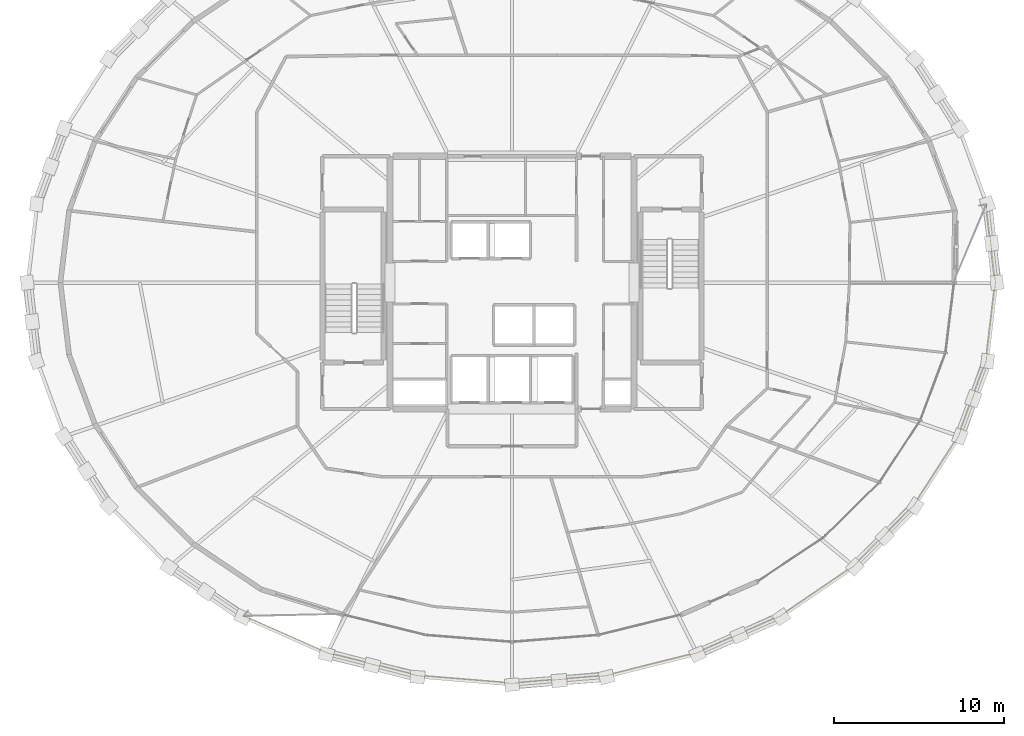
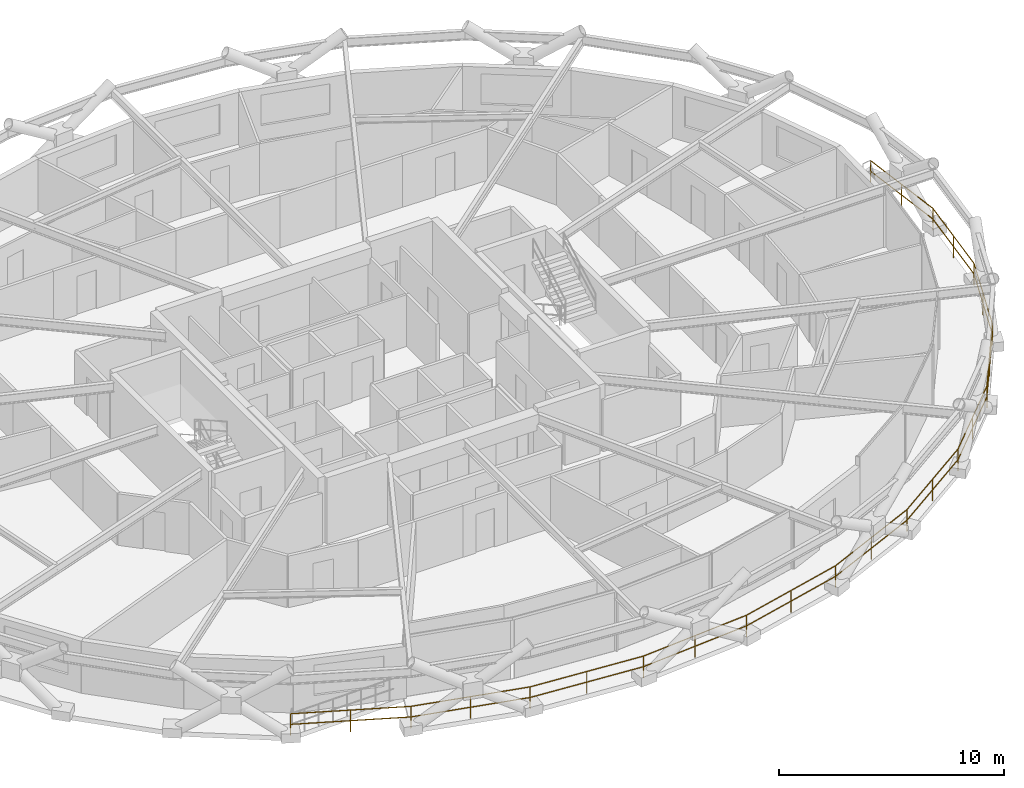
# One storey, part 20 of 21: 1 railing.
"""IFC4 building model written with IfcOpenShell, lengths in metres."""

from ifc_helpers import new_model, si_unit, direction, frame, origin, origin_2d, place, context, subcontext, project, spatial, circle, extrude, material, type_object, element, save


model = new_model("IFC4")

# Units and contexts
model_context = context("Model", 3, precision=1e-05, world=origin(), true_north=direction((0.0, 1.0)))
body_context = subcontext(model_context, "Body", "Model", "MODEL_VIEW")
ifc_project = project(units=[si_unit("LENGTHUNIT", "METRE"), si_unit("AREAUNIT", "SQUARE_METRE"), si_unit("VOLUMEUNIT", "CUBIC_METRE"), si_unit("PLANEANGLEUNIT", "RADIAN"), si_unit("MASSUNIT", "GRAM", prefix="KILO")], contexts=[model_context])

# Site, building, storey
site_placement = place(None, origin())
site = spatial("IfcSite", under=ifc_project, at=site_placement, CompositionType="ELEMENT")
building_placement = place(site_placement, origin())
building = spatial("IfcBuilding", under=site, at=building_placement, Name="Veldorina Hangang Commons", CompositionType="ELEMENT")
storey_placement = place(building_placement, frame((0.0, 0.0, 128.0)))
storey = spatial("IfcBuildingStorey", under=building, at=storey_placement, Name="L32", CompositionType="ELEMENT", Elevation=128.0)

# Railing
ifc_material = material(Name="Glass Laminated Safety Balustrade", Category="glass")
railing_type = type_object("IfcRailingType", Name="RL-BAL-LOGGIA", PredefinedType="BALUSTRADE", material=ifc_material)
railing_placement = place(storey_placement, frame((16.1689453125, 4.34814453125, 0.0)))
element("IfcRailing", 1, at=railing_placement, inside=storey, type_object=railing_type, Name="L32 sky-garden loggia outer balustrade", PredefinedType="BALUSTRADE", context=body_context, shape_type="SweptSolid", body=[
    extrude(circle(Radius=0.02392578125, at=origin_2d()), frame((0.0, 0.0, 1.17578125), z_axis=(0.914386048669, -0.404843369712, 0.0), x_axis=(0.404843369712, 0.914386048669, 0.0)), (0.0, 0.0, 1.0), 5.388916015625),
    extrude(circle(Radius=0.02392578125, at=origin_2d()), frame((0.0, 0.0, 0.60009765625), z_axis=(0.914386048669, -0.404843369712, 0.0), x_axis=(0.404843369712, 0.914386048669, 0.0)), (0.0, 0.0, 1.0), 5.388916015625),
    extrude(circle(Radius=0.02392578125, at=origin_2d()), frame((4.927490234375, -2.181640625, 1.17578125), z_axis=(0.969857820348, -0.243671517229, 0.0), x_axis=(0.243671517229, 0.969857820348, 0.0)), (0.0, 0.0, 1.0), 5.511474609375),
    extrude(circle(Radius=0.02392578125, at=origin_2d()), frame((4.927490234375, -2.181640625, 0.60009765625), z_axis=(0.969857820348, -0.243671517229, 0.0), x_axis=(0.243671517229, 0.969857820348, 0.0)), (0.0, 0.0, 1.0), 5.511474609375),
    extrude(circle(Radius=0.02392578125, at=origin_2d()), frame((10.27294921875, -3.524658203125, 1.17578125), z_axis=(0.996689757996, -0.081298993262, 0.0), x_axis=(0.081298993262, 0.996689757996, 0.0)), (0.0, 0.0, 1.0), 5.57666015625),
    extrude(circle(Radius=0.02392578125, at=origin_2d()), frame((10.27294921875, -3.524658203125, 0.60009765625), z_axis=(0.996689757996, -0.081298993262, 0.0), x_axis=(0.081298993262, 0.996689757996, 0.0)), (0.0, 0.0, 1.0), 5.57666015625),
    extrude(circle(Radius=0.02392578125, at=origin_2d()), frame((15.8310546875, -3.97802734375, 1.17578125), z_axis=(0.996689757996, 0.081298993262, 0.0), x_axis=(-0.081298993262, 0.996689757996, 0.0)), (0.0, 0.0, 1.0), 5.57666015625),
    extrude(circle(Radius=0.02392578125, at=origin_2d()), frame((15.8310546875, -3.97802734375, 0.60009765625), z_axis=(0.996689757996, 0.081298993262, 0.0), x_axis=(-0.081298993262, 0.996689757996, 0.0)), (0.0, 0.0, 1.0), 5.57666015625),
    extrude(circle(Radius=0.02392578125, at=origin_2d()), frame((21.38916015625, -3.524658203125, 1.17578125), z_axis=(0.969857820348, 0.243671517229, 0.0), x_axis=(-0.243671517229, 0.969857820348, 0.0)), (0.0, 0.0, 1.0), 5.511474609375),
    extrude(circle(Radius=0.02392578125, at=origin_2d()), frame((21.38916015625, -3.524658203125, 0.60009765625), z_axis=(0.969857820348, 0.243671517229, 0.0), x_axis=(-0.243671517229, 0.969857820348, 0.0)), (0.0, 0.0, 1.0), 5.511474609375),
    extrude(circle(Radius=0.02392578125, at=origin_2d()), frame((26.734619140625, -2.181640625, 1.17578125), z_axis=(0.914386048669, 0.404843369712, 0.0), x_axis=(-0.404843369712, 0.914386048669, 0.0)), (0.0, 0.0, 1.0), 5.388916015625),
    extrude(circle(Radius=0.02392578125, at=origin_2d()), frame((26.734619140625, -2.181640625, 0.60009765625), z_axis=(0.914386048669, 0.404843369712, 0.0), x_axis=(-0.404843369712, 0.914386048669, 0.0)), (0.0, 0.0, 1.0), 5.388916015625),
    extrude(circle(Radius=0.02392578125, at=origin_2d()), frame((31.662109375, 0.0, 1.17578125), z_axis=(0.82695431478, 0.562269118187, 0.0), x_axis=(-0.562269118187, 0.82695431478, 0.0)), (0.0, 0.0, 1.0), 5.224365234375),
    extrude(circle(Radius=0.02392578125, at=origin_2d()), frame((31.662109375, 0.0, 0.60009765625), z_axis=(0.82695431478, 0.562269118187, 0.0), x_axis=(-0.562269118187, 0.82695431478, 0.0)), (0.0, 0.0, 1.0), 5.224365234375),
    extrude(circle(Radius=0.02392578125, at=origin_2d()), frame((35.982421875, 2.9375, 1.17578125), z_axis=(0.703731974928, 0.710465556846, 0.0), x_axis=(-0.710465556846, 0.703731974928, 0.0)), (0.0, 0.0, 1.0), 5.039794921875),
    extrude(circle(Radius=0.02392578125, at=origin_2d()), frame((35.982421875, 2.9375, 0.60009765625), z_axis=(0.703731974928, 0.710465556846, 0.0), x_axis=(-0.710465556846, 0.703731974928, 0.0)), (0.0, 0.0, 1.0), 5.039794921875),
    extrude(circle(Radius=0.02392578125, at=origin_2d()), frame((39.529052734375, 6.51806640625, 1.17578125), z_axis=(0.542066260585, 0.840335747862, 0.0), x_axis=(-0.840335747862, 0.542066260585, 0.0)), (0.0, 0.0, 1.0), 4.86279296875),
    extrude(circle(Radius=0.02392578125, at=origin_2d()), frame((39.529052734375, 6.51806640625, 0.60009765625), z_axis=(0.542066260585, 0.840335747862, 0.0), x_axis=(-0.840335747862, 0.542066260585, 0.0)), (0.0, 0.0, 1.0), 4.86279296875),
    extrude(circle(Radius=0.02392578125, at=origin_2d()), frame((42.1650390625, 10.6044921875, 1.17578125), z_axis=(0.343730541101, 0.939068322921, 0.0), x_axis=(-0.939068322921, 0.343730541101, 0.0)), (0.0, 0.0, 1.0), 4.72265625),
    extrude(circle(Radius=0.02392578125, at=origin_2d()), frame((42.1650390625, 10.6044921875, 0.60009765625), z_axis=(0.343730541101, 0.939068322921, 0.0), x_axis=(-0.939068322921, 0.343730541101, 0.0)), (0.0, 0.0, 1.0), 4.72265625),
    extrude(circle(Radius=0.02392578125, at=origin_2d()), frame((43.788330078125, 15.039306640625, 1.17578125), z_axis=(0.11804877542, 0.993007797866, 0.0), x_axis=(-0.993007797866, 0.11804877542, 0.0)), (0.0, 0.0, 1.0), 4.64501953125),
    extrude(circle(Radius=0.02392578125, at=origin_2d()), frame((43.788330078125, 15.039306640625, 0.60009765625), z_axis=(0.11804877542, 0.993007797866, 0.0), x_axis=(-0.993007797866, 0.11804877542, 0.0)), (0.0, 0.0, 1.0), 4.64501953125),
    extrude(circle(Radius=0.02392578125, at=origin_2d()), frame((44.336669921875, 19.65185546875, 1.17578125), z_axis=(-0.11804877542, 0.993007797866, 0.0), x_axis=(-0.993007797866, -0.11804877542, 0.0)), (0.0, 0.0, 1.0), 4.64501953125),
    extrude(circle(Radius=0.02392578125, at=origin_2d()), frame((44.336669921875, 19.65185546875, 0.60009765625), z_axis=(-0.11804877542, 0.993007797866, 0.0), x_axis=(-0.993007797866, -0.11804877542, 0.0)), (0.0, 0.0, 1.0), 4.64501953125),
    extrude(circle(Radius=0.02099609375, at=origin_2d()), origin(), (0.0, 0.0, 1.0), 1.15185546875),
    extrude(circle(Radius=0.02099609375, at=origin_2d()), frame((2.4638671875, -1.0908203125, 0.0)), (0.0, 0.0, 1.0), 1.15185546875),
    extrude(circle(Radius=0.02099609375, at=origin_2d()), frame((4.927490234375, -2.181640625, 0.0)), (0.0, 0.0, 1.0), 1.15185546875),
    extrude(circle(Radius=0.02099609375, at=origin_2d()), frame((7.60009765625, -2.85302734375, 0.0)), (0.0, 0.0, 1.0), 1.15185546875),
    extrude(circle(Radius=0.02099609375, at=origin_2d()), frame((10.27294921875, -3.524658203125, 0.0)), (0.0, 0.0, 1.0), 1.15185546875),
    extrude(circle(Radius=0.02099609375, at=origin_2d()), frame((13.052001953125, -3.75146484375, 0.0)), (0.0, 0.0, 1.0), 1.15185546875),
    extrude(circle(Radius=0.02099609375, at=origin_2d()), frame((15.8310546875, -3.97802734375, 0.0)), (0.0, 0.0, 1.0), 1.15185546875),
    extrude(circle(Radius=0.02099609375, at=origin_2d()), frame((18.610107421875, -3.75146484375, 0.0)), (0.0, 0.0, 1.0), 1.15185546875),
    extrude(circle(Radius=0.02099609375, at=origin_2d()), frame((21.38916015625, -3.524658203125, 0.0)), (0.0, 0.0, 1.0), 1.15185546875),
    extrude(circle(Radius=0.02099609375, at=origin_2d()), frame((24.06201171875, -2.85302734375, 0.0)), (0.0, 0.0, 1.0), 1.15185546875),
    extrude(circle(Radius=0.02099609375, at=origin_2d()), frame((26.734619140625, -2.181640625, 0.0)), (0.0, 0.0, 1.0), 1.15185546875),
    extrude(circle(Radius=0.02099609375, at=origin_2d()), frame((29.1982421875, -1.0908203125, 0.0)), (0.0, 0.0, 1.0), 1.15185546875),
    extrude(circle(Radius=0.02099609375, at=origin_2d()), frame((31.662109375, 0.0, 0.0)), (0.0, 0.0, 1.0), 1.15185546875),
    extrude(circle(Radius=0.02099609375, at=origin_2d()), frame((33.822265625, 1.46875, 0.0)), (0.0, 0.0, 1.0), 1.15185546875),
    extrude(circle(Radius=0.02099609375, at=origin_2d()), frame((35.982421875, 2.9375, 0.0)), (0.0, 0.0, 1.0), 1.15185546875),
    extrude(circle(Radius=0.02099609375, at=origin_2d()), frame((37.755859375, 4.727783203125, 0.0)), (0.0, 0.0, 1.0), 1.15185546875),
    extrude(circle(Radius=0.02099609375, at=origin_2d()), frame((39.529052734375, 6.51806640625, 0.0)), (0.0, 0.0, 1.0), 1.15185546875),
    extrude(circle(Radius=0.02099609375, at=origin_2d()), frame((40.84716796875, 8.561279296875, 0.0)), (0.0, 0.0, 1.0), 1.15185546875),
    extrude(circle(Radius=0.02099609375, at=origin_2d()), frame((42.1650390625, 10.6044921875, 0.0)), (0.0, 0.0, 1.0), 1.15185546875),
    extrude(circle(Radius=0.02099609375, at=origin_2d()), frame((42.9765625, 12.82177734375, 0.0)), (0.0, 0.0, 1.0), 1.15185546875),
    extrude(circle(Radius=0.02099609375, at=origin_2d()), frame((43.788330078125, 15.039306640625, 0.0)), (0.0, 0.0, 1.0), 1.15185546875),
    extrude(circle(Radius=0.02099609375, at=origin_2d()), frame((44.0625, 17.345703125, 0.0)), (0.0, 0.0, 1.0), 1.15185546875),
    extrude(circle(Radius=0.02099609375, at=origin_2d()), frame((44.336669921875, 19.65185546875, 0.0)), (0.0, 0.0, 1.0), 1.15185546875),
    extrude(circle(Radius=0.02099609375, at=origin_2d()), frame((44.0625, 21.9580078125, 0.0)), (0.0, 0.0, 1.0), 1.15185546875),
    extrude(circle(Radius=0.02099609375, at=origin_2d()), frame((43.788330078125, 24.264404296875, 0.0)), (0.0, 0.0, 1.0), 1.15185546875),
])

save(model, "model.ifc")
